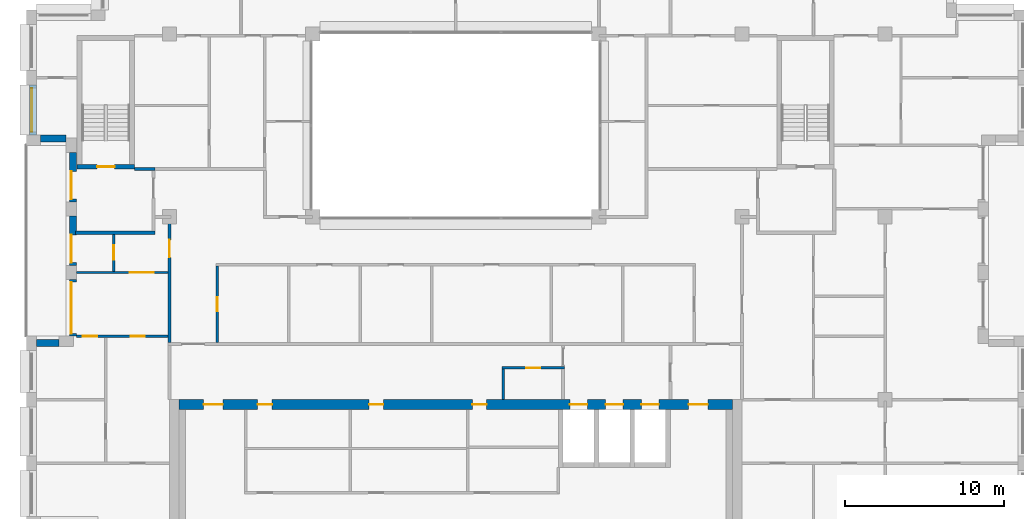
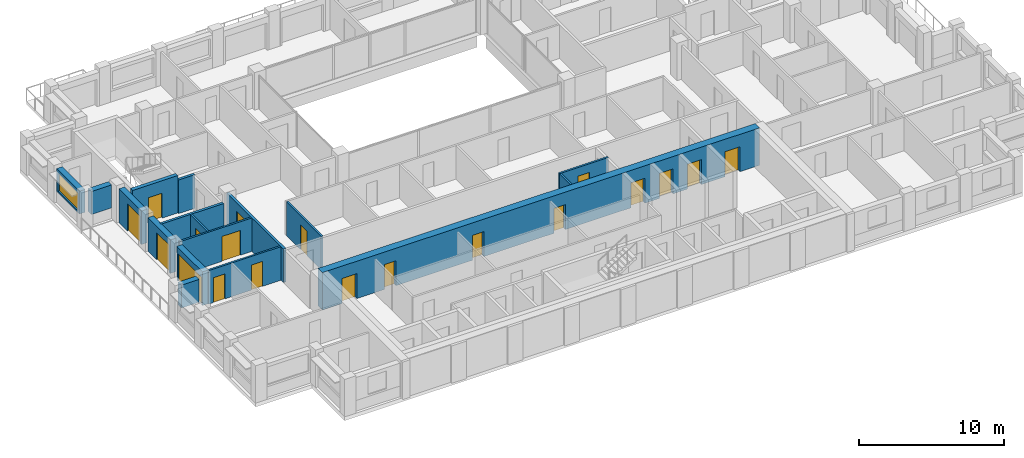
# One storey, part 9 of 15: 19 doors, 17 walls, 1 window, 20 openings.
"""IFC4 building model written with IfcOpenShell, lengths in metres."""

from ifc_helpers import new_model, si_unit, direction, frame, frame_2d, origin, place, context, subcontext, project, spatial, rectangle, extrude, material, layer, layer_set, type_object, element, fill, save


model = new_model("IFC4")

# Units and contexts
model_context = context("Model", 3, precision=1e-05, world=origin(), true_north=direction((0.0, 1.0)))
body_context = subcontext(model_context, "Body", "Model", "MODEL_VIEW")
ifc_project = project(units=[si_unit("LENGTHUNIT", "METRE"), si_unit("AREAUNIT", "SQUARE_METRE"), si_unit("VOLUMEUNIT", "CUBIC_METRE"), si_unit("PLANEANGLEUNIT", "RADIAN"), si_unit("MASSUNIT", "GRAM", prefix="KILO")], contexts=[model_context])

# Site, building, storey
site_placement = place(None, origin())
site = spatial("IfcSite", under=ifc_project, at=site_placement, CompositionType="ELEMENT")
building_placement = place(site_placement, origin())
building = spatial("IfcBuilding", under=site, at=building_placement, Name="Brigalow Station Residences", CompositionType="ELEMENT")
storey_placement = place(building_placement, frame((0.0, 0.0, 229.5)))
storey = spatial("IfcBuildingStorey", under=building, at=storey_placement, Name="L66", CompositionType="ELEMENT", Elevation=229.5)

# Wall, opening, window
ifc_material_1 = material(Name="Clay brick masonry", Category="masonry")
ifc_layer_1 = layer(ifc_material_1, 0.449951171875)
ifc_layer_set_1 = layer_set([ifc_layer_1], Name="BRICK INFILL WALL 450")
wall_type_1 = type_object("IfcWallType", Name="BRICK INFILL WALL 450", PredefinedType="SOLIDWALL", material=ifc_layer_set_1)
wall_1_placement = place(storey_placement, frame((9.425048828125, 32.300048828125, 0.89990234375), z_axis=(0.0, 0.0, 1.0), x_axis=(0.0, -1.0, 0.0)))
wall_1 = element("IfcWall", 1, at=wall_1_placement, inside=storey, type_object=wall_type_1, Name="L66/ewall/W-L66-35", PredefinedType="SOLIDWALL", context=body_context, shape_type="SweptSolid", body=[
    extrude(rectangle(XDim=3.150146484375, YDim=0.449951171875, at=frame_2d((1.5751953125, 0.0))), origin(), (0.0, 0.0, 1.0), 1.93017578125),
])
opening_1_placement = place(wall_1_placement, frame((0.199951171875, 0.0, 0.14990234375)))
opening_1 = element("IfcOpeningElement", 2, at=opening_1_placement, cuts=wall_1, Name="Opening WT-3", PredefinedType="OPENING", context=body_context, shape_type="SweptSolid", body=[
    extrude(rectangle(XDim=2.75, YDim=1.5, at=frame_2d((1.375, 0.75))), frame((0.0, 0.23486328125, 0.0), z_axis=(0.0, -1.0, 0.0), x_axis=(1.0, 0.0, 0.0)), (0.0, 0.0, 1.0), 0.469970703125),
])
ifc_material_2 = material(Name="Anodised aluminium frame with double glazing", Category="aluminium")
window_type = type_object("IfcWindowType", Name="WINDOW 2750x1500", PartitioningType="SINGLE_PANEL", PredefinedType="WINDOW", material=ifc_material_2)
window_placement = place(opening_1_placement, origin())
window = element("IfcWindow", 3, at=window_placement, inside=storey, type_object=window_type, Name="L66/window/W-L66-35", OverallHeight=1.5, OverallWidth=2.75, PartitioningType="SINGLE_PANEL", PredefinedType="WINDOW", context=body_context, shape_type="SweptSolid", body=[
    extrude(rectangle(XDim=2.75, YDim=1.5, at=frame_2d((1.375, 0.75))), frame((0.0, -0.06494140625, 0.0), z_axis=(0.0, -1.0, 0.0), x_axis=(1.0, 0.0, 0.0)), (0.0, 0.0, 1.0), 0.06005859375),
])
fill(opening_1, window)

# Wall
wall_2_placement = place(storey_placement, frame((9.89990234375, 28.925048828125, 0.89990234375), z_axis=(0.0, 0.0, 1.0), x_axis=(1.0, 0.0, 0.0)))
element("IfcWall", 4, at=wall_2_placement, inside=storey, type_object=wall_type_1, Name="L66/ewall/W-L66-36", PredefinedType="SOLIDWALL", context=body_context, shape_type="SweptSolid", body=[
    extrude(rectangle(XDim=1.60009765625, YDim=0.449951171875, at=frame_2d((0.800048828125, 0.0))), origin(), (0.0, 0.0, 1.0), 1.93017578125),
])

# Wall, opening, door
wall_3_placement = place(storey_placement, frame((11.925048828125, 28.050048828125, 0.0), z_axis=(0.0, 0.0, 1.0), x_axis=(0.0, -1.0, 0.0)))
wall_3 = element("IfcWall", 5, at=wall_3_placement, inside=storey, type_object=wall_type_1, Name="L66/ewall/W-L66-37", PredefinedType="SOLIDWALL", context=body_context, shape_type="SweptSolid", body=[
    extrude(rectangle(XDim=3.10009765625, YDim=0.449951171875, at=frame_2d((1.550048828125, 0.0))), origin(), (0.0, 0.0, 1.0), 2.830078125),
])
opening_2_placement = place(wall_3_placement, frame((1.18505859375, 0.0, 0.0)))
opening_2 = element("IfcOpeningElement", 6, at=opening_2_placement, cuts=wall_3, Name="Opening D-B1750", PredefinedType="OPENING", context=body_context, shape_type="SweptSolid", body=[
    extrude(rectangle(XDim=1.75, YDim=2.300048828125, at=frame_2d((0.875, 1.14990234375))), frame((0.0, 0.23486328125, 0.0), z_axis=(0.0, -1.0, 0.0), x_axis=(1.0, 0.0, 0.0)), (0.0, 0.0, 1.0), 0.469970703125),
])
ifc_material_3 = material(Name="Anodised aluminium frame with double glazing", Category="aluminium")
door_type_1 = type_object("IfcDoorType", Name="BALCONY SLIDING DOOR 1750x2300", OperationType="SLIDING_TO_LEFT", PredefinedType="DOOR", material=ifc_material_3)
door_1_placement = place(opening_2_placement, frame((1.75, -0.18994140625, 0.0), z_axis=(0.0, 0.0, 1.0), x_axis=(-1.0, 0.0, 0.0)))
door_1 = element("IfcDoor", 7, at=door_1_placement, inside=storey, type_object=door_type_1, Name="L66/balcony-door/W-L66-37", OperationType="SLIDING_TO_LEFT", OverallHeight=2.300048828125, OverallWidth=1.75, PredefinedType="DOOR", context=body_context, shape_type="SweptSolid", body=[
    extrude(rectangle(XDim=1.75, YDim=2.300048828125, at=frame_2d((0.875, 1.14990234375))), frame((0.0, -0.06982421875, 0.0), z_axis=(0.0, -1.0, 0.0), x_axis=(1.0, 0.0, 0.0)), (0.0, 0.0, 1.0), 0.050048828125),
])
fill(opening_2, door_1)

wall_4_placement = place(storey_placement, frame((11.925048828125, 24.050048828125, 0.0), z_axis=(0.0, 0.0, 1.0), x_axis=(0.0, -1.0, 0.0)))
wall_4 = element("IfcWall", 8, at=wall_4_placement, inside=storey, type_object=wall_type_1, Name="L66/ewall/W-L66-38", PredefinedType="SOLIDWALL", context=body_context, shape_type="SweptSolid", body=[
    extrude(rectangle(XDim=3.10009765625, YDim=0.449951171875, at=frame_2d((1.550048828125, 0.0))), origin(), (0.0, 0.0, 1.0), 2.830078125),
])
opening_3_placement = place(wall_4_placement, frame((1.18505859375, 0.0, 0.0)))
opening_3 = element("IfcOpeningElement", 9, at=opening_3_placement, cuts=wall_4, Name="Opening D-B1750", PredefinedType="OPENING", context=body_context, shape_type="SweptSolid", body=[
    extrude(rectangle(XDim=1.75, YDim=2.300048828125, at=frame_2d((0.875, 1.14990234375))), frame((0.0, 0.23486328125, 0.0), z_axis=(0.0, -1.0, 0.0), x_axis=(1.0, 0.0, 0.0)), (0.0, 0.0, 1.0), 0.469970703125),
])
door_2_placement = place(opening_3_placement, origin())
door_2 = element("IfcDoor", 10, at=door_2_placement, inside=storey, type_object=door_type_1, Name="L66/balcony-door/W-L66-38", OperationType="SLIDING_TO_LEFT", OverallHeight=2.300048828125, OverallWidth=1.75, PredefinedType="DOOR", context=body_context, shape_type="SweptSolid", body=[
    extrude(rectangle(XDim=1.75, YDim=2.300048828125, at=frame_2d((0.875, 1.14990234375))), frame((0.0, -0.06982421875, 0.0), z_axis=(0.0, -1.0, 0.0), x_axis=(1.0, 0.0, 0.0)), (0.0, 0.0, 1.0), 0.050048828125),
])
fill(opening_3, door_2)

wall_5_placement = place(storey_placement, frame((11.925048828125, 20.050048828125, 0.0), z_axis=(0.0, 0.0, 1.0), x_axis=(0.0, -1.0, 0.0)))
wall_5 = element("IfcWall", 11, at=wall_5_placement, inside=storey, type_object=wall_type_1, Name="L66/ewall/W-L66-39", PredefinedType="SOLIDWALL", context=body_context, shape_type="SweptSolid", body=[
    extrude(rectangle(XDim=3.550048828125, YDim=0.449951171875, at=frame_2d((1.77490234375, 0.0))), origin(), (0.0, 0.0, 1.0), 2.830078125),
])
opening_4_placement = place(wall_5_placement, frame((0.14990234375, 0.0, 0.0)))
opening_4 = element("IfcOpeningElement", 12, at=opening_4_placement, cuts=wall_5, Name="Opening D-B3250", PredefinedType="OPENING", context=body_context, shape_type="SweptSolid", body=[
    extrude(rectangle(XDim=3.25, YDim=2.300048828125, at=frame_2d((1.625, 1.14990234375))), frame((0.0, 0.23486328125, 0.0), z_axis=(0.0, -1.0, 0.0), x_axis=(1.0, 0.0, 0.0)), (0.0, 0.0, 1.0), 0.469970703125),
])
ifc_material_4 = material(Name="Anodised aluminium frame with double glazing", Category="aluminium")
door_type_2 = type_object("IfcDoorType", Name="BALCONY SLIDING DOOR 3250x2300", OperationType="SLIDING_TO_LEFT", PredefinedType="DOOR", material=ifc_material_4)
door_3_placement = place(opening_4_placement, origin())
door_3 = element("IfcDoor", 13, at=door_3_placement, inside=storey, type_object=door_type_2, Name="L66/balcony-door/W-L66-39", OperationType="SLIDING_TO_LEFT", OverallHeight=2.300048828125, OverallWidth=3.25, PredefinedType="DOOR", context=body_context, shape_type="SweptSolid", body=[
    extrude(rectangle(XDim=3.25, YDim=2.300048828125, at=frame_2d((1.625, 1.14990234375))), frame((0.0, -0.06982421875, 0.0), z_axis=(0.0, -1.0, 0.0), x_axis=(1.0, 0.0, 0.0)), (0.0, 0.0, 1.0), 0.050048828125),
])
fill(opening_4, door_3)

# Wall
wall_6_placement = place(storey_placement, frame((11.050048828125, 16.074951171875, 0.89990234375), z_axis=(0.0, 0.0, 1.0), x_axis=(-1.0, 0.0, 0.0)))
element("IfcWall", 14, at=wall_6_placement, inside=storey, type_object=wall_type_1, Name="L66/ewall/W-L66-40", PredefinedType="SOLIDWALL", context=body_context, shape_type="SweptSolid", body=[
    extrude(rectangle(XDim=1.400146484375, YDim=0.449951171875, at=frame_2d((0.7001953125, 0.0))), origin(), (0.0, 0.0, 1.0), 1.93017578125),
])

# Wall, opening, door
ifc_material_5 = material(Name="Concrete C50", Category="concrete")
ifc_layer_2 = layer(ifc_material_5, 0.300048828125)
ifc_layer_set_2 = layer_set([ifc_layer_2], Name="CORE SHEAR WALL 300 C50")
wall_type_2 = type_object("IfcWallType", Name="CORE SHEAR WALL 300 C50", PredefinedType="SHEAR", material=ifc_layer_set_2)
wall_7_placement = place(storey_placement, frame((12.199951171875, 27.14990234375, 0.0), z_axis=(0.0, 0.0, 1.0), x_axis=(1.0, 0.0, 0.0)))
wall_7 = element("IfcWall", 15, at=wall_7_placement, inside=storey, type_object=wall_type_2, Name="CORE WALL ST-S1-S L66", PredefinedType="SHEAR", context=body_context, shape_type="SweptSolid", body=[
    extrude(rectangle(XDim=3.60009765625, YDim=0.300048828125, at=frame_2d((1.800048828125, 0.0))), origin(), (0.0, 0.0, 1.0), 3.14990234375),
])
opening_5_placement = place(wall_7_placement, frame((1.25, 0.0, 0.0)))
opening_5 = element("IfcOpeningElement", 16, at=opening_5_placement, cuts=wall_7, Name="Opening D-5015", PredefinedType="OPENING", context=body_context, shape_type="SweptSolid", body=[
    extrude(rectangle(XDim=1.10009765625, YDim=2.10009765625, at=frame_2d((0.550048828125, 1.050048828125))), frame((0.0, 0.16015625, 0.0), z_axis=(0.0, -1.0, 0.0), x_axis=(1.0, 0.0, 0.0)), (0.0, 0.0, 1.0), 0.320068359375),
])
ifc_material_6 = material(Name="Steel fire door leaf in steel frame", Category="steel")
door_type_3 = type_object("IfcDoorType", Name="STAIR DOOR 1100 x 2100 FD60S", OperationType="SINGLE_SWING_LEFT", PredefinedType="DOOR", material=ifc_material_6)
door_4_placement = place(opening_5_placement, origin())
door_4 = element("IfcDoor", 17, at=door_4_placement, inside=storey, type_object=door_type_3, Name="D-5015", OperationType="SINGLE_SWING_LEFT", OverallHeight=2.10009765625, OverallWidth=1.10009765625, PredefinedType="DOOR", context=body_context, shape_type="SweptSolid", body=[
    extrude(rectangle(XDim=1.10009765625, YDim=2.10009765625, at=frame_2d((0.550048828125, 1.050048828125))), frame((0.0, 0.02490234375, 0.0), z_axis=(0.0, -1.0, 0.0), x_axis=(1.0, 0.0, 0.0)), (0.0, 0.0, 1.0), 0.050048828125),
])
fill(opening_5, door_4)

# Wall, openings, doors
ifc_material_7 = material(Name="Concrete C50", Category="concrete")
ifc_layer_3 = layer(ifc_material_7, 0.60009765625)
ifc_layer_set_3 = layer_set([ifc_layer_3], Name="CORE SHEAR WALL 600 C50")
wall_type_3 = type_object("IfcWallType", Name="CORE SHEAR WALL 600 C50", PredefinedType="SHEAR", material=ifc_layer_set_3)
wall_8_placement = place(storey_placement, frame((18.60009765625, 12.199951171875, 0.0), z_axis=(0.0, 0.0, 1.0), x_axis=(1.0, 0.0, 0.0)))
wall_8 = element("IfcWall", 18, at=wall_8_placement, inside=storey, type_object=wall_type_3, Name="CORE WALL OUT-N L66", PredefinedType="SHEAR", context=body_context, shape_type="SweptSolid", body=[
    extrude(rectangle(XDim=34.7998046875, YDim=0.60009765625, at=frame_2d((17.39990234375, 0.0))), origin(), (0.0, 0.0, 1.0), 3.14990234375),
])
opening_6_placement = place(wall_8_placement, frame((24.574951171875, 0.0, 0.0)))
opening_6 = element("IfcOpeningElement", 19, at=opening_6_placement, cuts=wall_8, Name="Opening LD-LF1", PredefinedType="OPENING", context=body_context, shape_type="SweptSolid", body=[
    extrude(rectangle(XDim=1.10009765625, YDim=2.10009765625, at=frame_2d((0.550048828125, 1.050048828125))), frame((0.0, 0.31005859375, 0.0), z_axis=(0.0, -1.0, 0.0), x_axis=(1.0, 0.0, 0.0)), (0.0, 0.0, 1.0), 0.6201171875),
])
opening_7_placement = place(wall_8_placement, frame((26.824951171875, 0.0, 0.0)))
opening_7 = element("IfcOpeningElement", 20, at=opening_7_placement, cuts=wall_8, Name="Opening LD-LF2", PredefinedType="OPENING", context=body_context, shape_type="SweptSolid", body=[
    extrude(rectangle(XDim=1.10009765625, YDim=2.10009765625, at=frame_2d((0.550048828125, 1.050048828125))), frame((0.0, 0.31005859375, 0.0), z_axis=(0.0, -1.0, 0.0), x_axis=(1.0, 0.0, 0.0)), (0.0, 0.0, 1.0), 0.6201171875),
])
opening_8_placement = place(wall_8_placement, frame((29.074951171875, 0.0, 0.0)))
opening_8 = element("IfcOpeningElement", 21, at=opening_8_placement, cuts=wall_8, Name="Opening LD-LG1", PredefinedType="OPENING", context=body_context, shape_type="SweptSolid", body=[
    extrude(rectangle(XDim=1.10009765625, YDim=2.10009765625, at=frame_2d((0.550048828125, 1.050048828125))), frame((0.0, 0.31005859375, 0.0), z_axis=(0.0, -1.0, 0.0), x_axis=(1.0, 0.0, 0.0)), (0.0, 0.0, 1.0), 0.6201171875),
])
opening_9_placement = place(wall_8_placement, frame((4.949951171875, 0.0, 0.0)))
opening_9 = element("IfcOpeningElement", 22, at=opening_9_placement, cuts=wall_8, Name="Opening D-5118", PredefinedType="OPENING", context=body_context, shape_type="SweptSolid", body=[
    extrude(rectangle(XDim=0.89990234375, YDim=2.10009765625, at=frame_2d((0.449951171875, 1.050048828125))), frame((0.0, 0.31005859375, 0.0), z_axis=(0.0, -1.0, 0.0), x_axis=(1.0, 0.0, 0.0)), (0.0, 0.0, 1.0), 0.6201171875),
])
opening_10_placement = place(wall_8_placement, frame((11.949951171875, 0.0, 0.0)))
opening_10 = element("IfcOpeningElement", 23, at=opening_10_placement, cuts=wall_8, Name="Opening D-5122", PredefinedType="OPENING", context=body_context, shape_type="SweptSolid", body=[
    extrude(rectangle(XDim=0.89990234375, YDim=2.10009765625, at=frame_2d((0.449951171875, 1.050048828125))), frame((0.0, 0.31005859375, 0.0), z_axis=(0.0, -1.0, 0.0), x_axis=(1.0, 0.0, 0.0)), (0.0, 0.0, 1.0), 0.6201171875),
])
opening_11_placement = place(wall_8_placement, frame((18.449951171875, 0.0, 0.0)))
opening_11 = element("IfcOpeningElement", 24, at=opening_11_placement, cuts=wall_8, Name="Opening D-5119", PredefinedType="OPENING", context=body_context, shape_type="SweptSolid", body=[
    extrude(rectangle(XDim=0.89990234375, YDim=2.10009765625, at=frame_2d((0.449951171875, 1.050048828125))), frame((0.0, 0.31005859375, 0.0), z_axis=(0.0, -1.0, 0.0), x_axis=(1.0, 0.0, 0.0)), (0.0, 0.0, 1.0), 0.6201171875),
])
opening_12_placement = place(wall_8_placement, frame((1.550048828125, 0.0, 0.0)))
opening_12 = element("IfcOpeningElement", 25, at=opening_12_placement, cuts=wall_8, Name="Opening D-5011", PredefinedType="OPENING", context=body_context, shape_type="SweptSolid", body=[
    extrude(rectangle(XDim=1.199951171875, YDim=2.10009765625, at=frame_2d((0.60009765625, 1.050048828125))), frame((0.0, 0.31005859375, 0.0), z_axis=(0.0, -1.0, 0.0), x_axis=(1.0, 0.0, 0.0)), (0.0, 0.0, 1.0), 0.6201171875),
])
opening_13_placement = place(wall_8_placement, frame((32.050048828125, 0.0, 0.0)))
opening_13 = element("IfcOpeningElement", 26, at=opening_13_placement, cuts=wall_8, Name="Opening D-5012", PredefinedType="OPENING", context=body_context, shape_type="SweptSolid", body=[
    extrude(rectangle(XDim=1.199951171875, YDim=2.10009765625, at=frame_2d((0.60009765625, 1.050048828125))), frame((0.0, 0.31005859375, 0.0), z_axis=(0.0, -1.0, 0.0), x_axis=(1.0, 0.0, 0.0)), (0.0, 0.0, 1.0), 0.6201171875),
])
ifc_material_8 = material(Name="Steel fire door leaf in steel frame", Category="steel")
door_type_4 = type_object("IfcDoorType", Name="CORE CORRIDOR DOOR 1200 x 2100 FD60S", OperationType="SINGLE_SWING_LEFT", PredefinedType="DOOR", material=ifc_material_8)
door_5_placement = place(opening_12_placement, frame((1.199951171875, 0.0, 0.0), z_axis=(0.0, 0.0, 1.0), x_axis=(-1.0, 0.0, 0.0)))
door_5 = element("IfcDoor", 27, at=door_5_placement, inside=storey, type_object=door_type_4, Name="D-5011", OperationType="SINGLE_SWING_LEFT", OverallHeight=2.10009765625, OverallWidth=1.199951171875, PredefinedType="DOOR", context=body_context, shape_type="SweptSolid", body=[
    extrude(rectangle(XDim=1.199951171875, YDim=2.10009765625, at=frame_2d((0.60009765625, 1.050048828125))), frame((0.0, 0.02490234375, 0.0), z_axis=(0.0, -1.0, 0.0), x_axis=(1.0, 0.0, 0.0)), (0.0, 0.0, 1.0), 0.050048828125),
])
fill(opening_12, door_5)
door_6_placement = place(opening_13_placement, frame((1.199951171875, 0.0, 0.0), z_axis=(0.0, 0.0, 1.0), x_axis=(-1.0, 0.0, 0.0)))
door_6 = element("IfcDoor", 28, at=door_6_placement, inside=storey, type_object=door_type_4, Name="D-5012", OperationType="SINGLE_SWING_LEFT", OverallHeight=2.10009765625, OverallWidth=1.199951171875, PredefinedType="DOOR", context=body_context, shape_type="SweptSolid", body=[
    extrude(rectangle(XDim=1.199951171875, YDim=2.10009765625, at=frame_2d((0.60009765625, 1.050048828125))), frame((0.0, 0.02490234375, 0.0), z_axis=(0.0, -1.0, 0.0), x_axis=(1.0, 0.0, 0.0)), (0.0, 0.0, 1.0), 0.050048828125),
])
fill(opening_13, door_6)
ifc_material_9 = material(Name="Stainless steel sliding door leaves", Category="steel")
door_type_5 = type_object("IfcDoorType", Name="LIFT LANDING DOOR 1100 x 2100", OperationType="DOUBLE_DOOR_SLIDING", PredefinedType="DOOR", material=ifc_material_9)
door_7_placement = place(opening_6_placement, origin())
door_7 = element("IfcDoor", 29, at=door_7_placement, inside=storey, type_object=door_type_5, Name="LANDING DOOR LF1", OperationType="DOUBLE_DOOR_SLIDING", OverallHeight=2.10009765625, OverallWidth=1.10009765625, PredefinedType="DOOR", context=body_context, shape_type="SweptSolid", body=[
    extrude(rectangle(XDim=1.10009765625, YDim=2.10009765625, at=frame_2d((0.550048828125, 1.050048828125))), frame((0.0, 0.02490234375, 0.0), z_axis=(0.0, -1.0, 0.0), x_axis=(1.0, 0.0, 0.0)), (0.0, 0.0, 1.0), 0.050048828125),
])
fill(opening_6, door_7)
door_8_placement = place(opening_7_placement, origin())
door_8 = element("IfcDoor", 30, at=door_8_placement, inside=storey, type_object=door_type_5, Name="LANDING DOOR LF2", OperationType="DOUBLE_DOOR_SLIDING", OverallHeight=2.10009765625, OverallWidth=1.10009765625, PredefinedType="DOOR", context=body_context, shape_type="SweptSolid", body=[
    extrude(rectangle(XDim=1.10009765625, YDim=2.10009765625, at=frame_2d((0.550048828125, 1.050048828125))), frame((0.0, 0.02490234375, 0.0), z_axis=(0.0, -1.0, 0.0), x_axis=(1.0, 0.0, 0.0)), (0.0, 0.0, 1.0), 0.050048828125),
])
fill(opening_7, door_8)
door_9_placement = place(opening_8_placement, origin())
door_9 = element("IfcDoor", 31, at=door_9_placement, inside=storey, type_object=door_type_5, Name="LANDING DOOR LG1", OperationType="DOUBLE_DOOR_SLIDING", OverallHeight=2.10009765625, OverallWidth=1.10009765625, PredefinedType="DOOR", context=body_context, shape_type="SweptSolid", body=[
    extrude(rectangle(XDim=1.10009765625, YDim=2.10009765625, at=frame_2d((0.550048828125, 1.050048828125))), frame((0.0, 0.02490234375, 0.0), z_axis=(0.0, -1.0, 0.0), x_axis=(1.0, 0.0, 0.0)), (0.0, 0.0, 1.0), 0.050048828125),
])
fill(opening_8, door_9)
ifc_material_10 = material(Name="Steel door leaf in steel frame", Category="steel")
door_type_6 = type_object("IfcDoorType", Name="SERVICE ROOM DOOR 900 x 2100 FD60", OperationType="SINGLE_SWING_LEFT", PredefinedType="DOOR", material=ifc_material_10)
door_10_placement = place(opening_9_placement, frame((0.89990234375, 0.0, 0.0), z_axis=(0.0, 0.0, 1.0), x_axis=(-1.0, 0.0, 0.0)))
door_10 = element("IfcDoor", 32, at=door_10_placement, inside=storey, type_object=door_type_6, Name="D-5118", OperationType="SINGLE_SWING_RIGHT", OverallHeight=2.10009765625, OverallWidth=0.89990234375, PredefinedType="DOOR", context=body_context, shape_type="SweptSolid", body=[
    extrude(rectangle(XDim=0.89990234375, YDim=2.10009765625, at=frame_2d((0.449951171875, 1.050048828125))), frame((0.0, 0.02490234375, 0.0), z_axis=(0.0, -1.0, 0.0), x_axis=(1.0, 0.0, 0.0)), (0.0, 0.0, 1.0), 0.050048828125),
])
fill(opening_9, door_10)
door_11_placement = place(opening_10_placement, frame((0.89990234375, 0.0, 0.0), z_axis=(0.0, 0.0, 1.0), x_axis=(-1.0, 0.0, 0.0)))
door_11 = element("IfcDoor", 33, at=door_11_placement, inside=storey, type_object=door_type_6, Name="D-5122", OperationType="SINGLE_SWING_RIGHT", OverallHeight=2.10009765625, OverallWidth=0.89990234375, PredefinedType="DOOR", context=body_context, shape_type="SweptSolid", body=[
    extrude(rectangle(XDim=0.89990234375, YDim=2.10009765625, at=frame_2d((0.449951171875, 1.050048828125))), frame((0.0, 0.02490234375, 0.0), z_axis=(0.0, -1.0, 0.0), x_axis=(1.0, 0.0, 0.0)), (0.0, 0.0, 1.0), 0.050048828125),
])
fill(opening_10, door_11)
door_12_placement = place(opening_11_placement, frame((0.89990234375, 0.0, 0.0), z_axis=(0.0, 0.0, 1.0), x_axis=(-1.0, 0.0, 0.0)))
door_12 = element("IfcDoor", 34, at=door_12_placement, inside=storey, type_object=door_type_6, Name="D-5119", OperationType="SINGLE_SWING_RIGHT", OverallHeight=2.10009765625, OverallWidth=0.89990234375, PredefinedType="DOOR", context=body_context, shape_type="SweptSolid", body=[
    extrude(rectangle(XDim=0.89990234375, YDim=2.10009765625, at=frame_2d((0.449951171875, 1.050048828125))), frame((0.0, 0.02490234375, 0.0), z_axis=(0.0, -1.0, 0.0), x_axis=(1.0, 0.0, 0.0)), (0.0, 0.0, 1.0), 0.050048828125),
])
fill(opening_11, door_12)

# Walls
ifc_material_11 = material(Name="Concrete blockwork", Category="masonry")
ifc_layer_4 = layer(ifc_material_11, 0.199951171875)
ifc_layer_set_4 = layer_set([ifc_layer_4], Name="FIRE RATED CORE PARTITION 200")
wall_type_4 = type_object("IfcWallType", Name="FIRE RATED CORE PARTITION 200", PredefinedType="PARTITIONING", material=ifc_layer_set_4)
wall_9_placement = place(storey_placement, frame((12.10009765625, 23.0, 0.0), z_axis=(0.0, 0.0, 1.0), x_axis=(1.0, 0.0, 0.0)))
element("IfcWall", 35, at=wall_9_placement, inside=storey, type_object=wall_type_4, Name="PW-5023", PredefinedType="PARTITIONING", context=body_context, shape_type="SweptSolid", body=[
    extrude(rectangle(XDim=5.0, YDim=0.199951171875, at=frame_2d((2.5, 0.0))), origin(), (0.0, 0.0, 1.0), 2.830078125),
])
wall_10_placement = place(storey_placement, frame((15.800048828125, 27.0, 0.0), z_axis=(0.0, 0.0, 1.0), x_axis=(1.0, 0.0, 0.0)))
element("IfcWall", 36, at=wall_10_placement, inside=storey, type_object=wall_type_4, Name="PW-5025", PredefinedType="PARTITIONING", context=body_context, shape_type="SweptSolid", body=[
    extrude(rectangle(XDim=1.300048828125, YDim=0.199951171875, at=frame_2d((0.64990234375, 0.0))), origin(), (0.0, 0.0, 1.0), 2.830078125),
])

# Wall, opening, door
ifc_material_12 = material(Name="Plasterboard on steel stud partition", Category="steel")
ifc_layer_5 = layer(ifc_material_12, 0.14990234375)
ifc_layer_set_5 = layer_set([ifc_layer_5], Name="FLAT PARTITION 150")
wall_type_5 = type_object("IfcWallType", Name="FLAT PARTITION 150", PredefinedType="PARTITIONING", material=ifc_layer_set_5)
wall_11_placement = place(storey_placement, frame((12.14990234375, 20.5, 0.0), z_axis=(0.0, 0.0, 1.0), x_axis=(1.0, 0.0, 0.0)))
wall_11 = element("IfcWall", 37, at=wall_11_placement, inside=storey, type_object=wall_type_5, Name="PW-4E08", PredefinedType="PARTITIONING", context=body_context, shape_type="SweptSolid", body=[
    extrude(rectangle(XDim=5.75, YDim=0.14990234375, at=frame_2d((2.875, 0.0))), origin(), (0.0, 0.0, 1.0), 2.830078125),
])
opening_14_placement = place(wall_11_placement, frame((3.35009765625, 0.0, 0.0)))
opening_14 = element("IfcOpeningElement", 38, at=opening_14_placement, cuts=wall_11, Name="Opening D-4E05", PredefinedType="OPENING", context=body_context, shape_type="SweptSolid", body=[
    extrude(rectangle(XDim=1.5, YDim=2.10009765625, at=frame_2d((0.75, 1.050048828125))), frame((0.0, 0.0849609375, 0.0), z_axis=(0.0, -1.0, 0.0), x_axis=(1.0, 0.0, 0.0)), (0.0, 0.0, 1.0), 0.169921875),
])
ifc_material_13 = material(Name="Solid-core timber door leaf", Category="wood")
door_type_7 = type_object("IfcDoorType", Name="INTERNAL DOUBLE DOOR 1500 x 2100", OperationType="DOUBLE_DOOR_SINGLE_SWING", PredefinedType="DOOR", material=ifc_material_13)
door_13_placement = place(opening_14_placement, origin())
door_13 = element("IfcDoor", 39, at=door_13_placement, inside=storey, type_object=door_type_7, Name="D-4E05", OperationType="DOUBLE_DOOR_SINGLE_SWING", OverallHeight=2.10009765625, OverallWidth=1.5, PredefinedType="DOOR", context=body_context, shape_type="SweptSolid", body=[
    extrude(rectangle(XDim=1.5, YDim=2.10009765625, at=frame_2d((0.75, 1.050048828125))), frame((0.0, 0.02490234375, 0.0), z_axis=(0.0, -1.0, 0.0), x_axis=(1.0, 0.0, 0.0)), (0.0, 0.0, 1.0), 0.050048828125),
])
fill(opening_14, door_13)

# Wall, openings, doors
wall_12_placement = place(storey_placement, frame((12.14990234375, 16.5, 0.0), z_axis=(0.0, 0.0, 1.0), x_axis=(1.0, 0.0, 0.0)))
wall_12 = element("IfcWall", 40, at=wall_12_placement, inside=storey, type_object=wall_type_5, Name="PW-4E09", PredefinedType="PARTITIONING", context=body_context, shape_type="SweptSolid", body=[
    extrude(rectangle(XDim=5.75, YDim=0.14990234375, at=frame_2d((2.875, 0.0))), origin(), (0.0, 0.0, 1.0), 2.830078125),
])
opening_15_placement = place(wall_12_placement, frame((0.39990234375, 0.0, 0.0)))
opening_15 = element("IfcOpeningElement", 41, at=opening_15_placement, cuts=wall_12, Name="Opening D-4E06", PredefinedType="OPENING", context=body_context, shape_type="SweptSolid", body=[
    extrude(rectangle(XDim=0.89990234375, YDim=2.10009765625, at=frame_2d((0.449951171875, 1.050048828125))), frame((0.0, 0.0849609375, 0.0), z_axis=(0.0, -1.0, 0.0), x_axis=(1.0, 0.0, 0.0)), (0.0, 0.0, 1.0), 0.169921875),
])
opening_16_placement = place(wall_12_placement, frame((3.39990234375, 0.0, 0.0)))
opening_16 = element("IfcOpeningElement", 42, at=opening_16_placement, cuts=wall_12, Name="Opening D-4E07", PredefinedType="OPENING", context=body_context, shape_type="SweptSolid", body=[
    extrude(rectangle(XDim=0.89990234375, YDim=2.10009765625, at=frame_2d((0.449951171875, 1.050048828125))), frame((0.0, 0.0849609375, 0.0), z_axis=(0.0, -1.0, 0.0), x_axis=(1.0, 0.0, 0.0)), (0.0, 0.0, 1.0), 0.169921875),
])
ifc_material_14 = material(Name="Solid-core timber door leaf", Category="wood")
door_type_8 = type_object("IfcDoorType", Name="INTERNAL DOOR 900 x 2100", OperationType="SINGLE_SWING_LEFT", PredefinedType="DOOR", material=ifc_material_14)
door_14_placement = place(opening_15_placement, frame((0.89990234375, 0.0, 0.0), z_axis=(0.0, 0.0, 1.0), x_axis=(-1.0, 0.0, 0.0)))
door_14 = element("IfcDoor", 43, at=door_14_placement, inside=storey, type_object=door_type_8, Name="D-4E06", OperationType="SINGLE_SWING_RIGHT", OverallHeight=2.10009765625, OverallWidth=0.89990234375, PredefinedType="DOOR", context=body_context, shape_type="SweptSolid", body=[
    extrude(rectangle(XDim=0.89990234375, YDim=2.10009765625, at=frame_2d((0.449951171875, 1.050048828125))), frame((0.0, 0.02490234375, 0.0), z_axis=(0.0, -1.0, 0.0), x_axis=(1.0, 0.0, 0.0)), (0.0, 0.0, 1.0), 0.050048828125),
])
fill(opening_15, door_14)
door_15_placement = place(opening_16_placement, origin())
door_15 = element("IfcDoor", 44, at=door_15_placement, inside=storey, type_object=door_type_8, Name="D-4E07", OperationType="SINGLE_SWING_RIGHT", OverallHeight=2.10009765625, OverallWidth=0.89990234375, PredefinedType="DOOR", context=body_context, shape_type="SweptSolid", body=[
    extrude(rectangle(XDim=0.89990234375, YDim=2.10009765625, at=frame_2d((0.449951171875, 1.050048828125))), frame((0.0, 0.02490234375, 0.0), z_axis=(0.0, -1.0, 0.0), x_axis=(1.0, 0.0, 0.0)), (0.0, 0.0, 1.0), 0.050048828125),
])
fill(opening_16, door_15)

# Wall, opening, door
wall_13_placement = place(storey_placement, frame((21.0, 16.10009765625, 0.0), z_axis=(0.0, 0.0, 1.0), x_axis=(0.0, 1.0, 0.0)))
wall_13 = element("IfcWall", 45, at=wall_13_placement, inside=storey, type_object=wall_type_5, Name="PW-4E34", PredefinedType="PARTITIONING", context=body_context, shape_type="SweptSolid", body=[
    extrude(rectangle(XDim=4.824951171875, YDim=0.14990234375, at=frame_2d((2.41259765625, 0.0))), origin(), (0.0, 0.0, 1.0), 2.830078125),
])
opening_17_placement = place(wall_13_placement, frame((1.949951171875, 0.0, 0.0)))
opening_17 = element("IfcOpeningElement", 46, at=opening_17_placement, cuts=wall_13, Name="Opening D-4E44", PredefinedType="OPENING", context=body_context, shape_type="SweptSolid", body=[
    extrude(rectangle(XDim=0.89990234375, YDim=2.10009765625, at=frame_2d((0.449951171875, 1.050048828125))), frame((0.0, 0.0849609375, 0.0), z_axis=(0.0, -1.0, 0.0), x_axis=(1.0, 0.0, 0.0)), (0.0, 0.0, 1.0), 0.169921875),
])
door_16_placement = place(opening_17_placement, frame((0.89990234375, 0.0, 0.0), z_axis=(0.0, 0.0, 1.0), x_axis=(-1.0, 0.0, 0.0)))
door_16 = element("IfcDoor", 47, at=door_16_placement, inside=storey, type_object=door_type_8, Name="D-4E44", OperationType="SINGLE_SWING_RIGHT", OverallHeight=2.10009765625, OverallWidth=0.89990234375, PredefinedType="DOOR", context=body_context, shape_type="SweptSolid", body=[
    extrude(rectangle(XDim=0.89990234375, YDim=2.10009765625, at=frame_2d((0.449951171875, 1.050048828125))), frame((0.0, 0.02490234375, 0.0), z_axis=(0.0, -1.0, 0.0), x_axis=(1.0, 0.0, 0.0)), (0.0, 0.0, 1.0), 0.050048828125),
])
fill(opening_17, door_16)

wall_14_placement = place(storey_placement, frame((14.5, 20.574951171875, 0.0), z_axis=(0.0, 0.0, 1.0), x_axis=(0.0, 1.0, 0.0)))
wall_14 = element("IfcWall", 48, at=wall_14_placement, inside=storey, type_object=wall_type_5, Name="PW-4E39", PredefinedType="PARTITIONING", context=body_context, shape_type="SweptSolid", body=[
    extrude(rectangle(XDim=2.324951171875, YDim=0.14990234375, at=frame_2d((1.16259765625, 0.0))), origin(), (0.0, 0.0, 1.0), 2.830078125),
])
opening_18_placement = place(wall_14_placement, frame((0.72509765625, 0.0, 0.0)))
opening_18 = element("IfcOpeningElement", 49, at=opening_18_placement, cuts=wall_14, Name="Opening D-4E04", PredefinedType="OPENING", context=body_context, shape_type="SweptSolid", body=[
    extrude(rectangle(XDim=0.89990234375, YDim=2.10009765625, at=frame_2d((0.449951171875, 1.050048828125))), frame((0.0, 0.0849609375, 0.0), z_axis=(0.0, -1.0, 0.0), x_axis=(1.0, 0.0, 0.0)), (0.0, 0.0, 1.0), 0.169921875),
])
door_17_placement = place(opening_18_placement, origin())
door_17 = element("IfcDoor", 50, at=door_17_placement, inside=storey, type_object=door_type_8, Name="D-4E04", OperationType="SINGLE_SWING_RIGHT", OverallHeight=2.10009765625, OverallWidth=0.89990234375, PredefinedType="DOOR", context=body_context, shape_type="SweptSolid", body=[
    extrude(rectangle(XDim=0.89990234375, YDim=2.10009765625, at=frame_2d((0.449951171875, 1.050048828125))), frame((0.0, 0.02490234375, 0.0), z_axis=(0.0, -1.0, 0.0), x_axis=(1.0, 0.0, 0.0)), (0.0, 0.0, 1.0), 0.050048828125),
])
fill(opening_18, door_17)

ifc_material_15 = material(Name="Plasterboard on steel stud partition", Category="steel")
ifc_layer_6 = layer(ifc_material_15, 0.199951171875)
ifc_layer_set_6 = layer_set([ifc_layer_6], Name="PARTY AND CORRIDOR WALL 200")
wall_type_6 = type_object("IfcWallType", Name="PARTY AND CORRIDOR WALL 200", PredefinedType="PARTITIONING", material=ifc_layer_set_6)
wall_15_placement = place(storey_placement, frame((18.0, 16.10009765625, 0.0), z_axis=(0.0, 0.0, 1.0), x_axis=(0.0, 1.0, 0.0)))
wall_15 = element("IfcWall", 51, at=wall_15_placement, inside=storey, type_object=wall_type_6, Name="PW-4E32", PredefinedType="PARTITIONING", context=body_context, shape_type="SweptSolid", body=[
    extrude(rectangle(XDim=7.7998046875, YDim=0.199951171875, at=frame_2d((3.89990234375, 0.0))), origin(), (0.0, 0.0, 1.0), 2.830078125),
])
opening_19_placement = place(wall_15_placement, frame((5.35009765625, 0.0, 0.0)))
opening_19 = element("IfcOpeningElement", 52, at=opening_19_placement, cuts=wall_15, Name="Opening D-4E03", PredefinedType="OPENING", context=body_context, shape_type="SweptSolid", body=[
    extrude(rectangle(XDim=1.10009765625, YDim=2.10009765625, at=frame_2d((0.550048828125, 1.050048828125))), frame((0.0, 0.10986328125, 0.0), z_axis=(0.0, -1.0, 0.0), x_axis=(1.0, 0.0, 0.0)), (0.0, 0.0, 1.0), 0.219970703125),
])
ifc_material_16 = material(Name="Solid-core timber door leaf", Category="wood")
door_type_9 = type_object("IfcDoorType", Name="FLAT ENTRANCE DOOR 1100 x 2100 FRL -/60/30", OperationType="SINGLE_SWING_LEFT", PredefinedType="DOOR", material=ifc_material_16)
door_18_placement = place(opening_19_placement, origin())
door_18 = element("IfcDoor", 53, at=door_18_placement, inside=storey, type_object=door_type_9, Name="D-4E03", OperationType="SINGLE_SWING_LEFT", OverallHeight=2.10009765625, OverallWidth=1.10009765625, PredefinedType="DOOR", context=body_context, shape_type="SweptSolid", body=[
    extrude(rectangle(XDim=1.10009765625, YDim=2.10009765625, at=frame_2d((0.550048828125, 1.050048828125))), frame((0.0, 0.02490234375, 0.0), z_axis=(0.0, -1.0, 0.0), x_axis=(1.0, 0.0, 0.0)), (0.0, 0.0, 1.0), 0.050048828125),
])
fill(opening_19, door_18)

ifc_material_17 = material(Name="Plasterboard on steel studs", Category="steel")
ifc_layer_7 = layer(ifc_material_17, 0.14990234375)
ifc_layer_set_7 = layer_set([ifc_layer_7], Name="SERVICE ROOM PARTITION 150")
wall_type_7 = type_object("IfcWallType", Name="SERVICE ROOM PARTITION 150", PredefinedType="PARTITIONING", material=ifc_layer_set_7)
wall_16_placement = place(storey_placement, frame((38.925048828125, 14.5, 0.0), z_axis=(0.0, 0.0, 1.0), x_axis=(1.0, 0.0, 0.0)))
wall_16 = element("IfcWall", 54, at=wall_16_placement, inside=storey, type_object=wall_type_7, Name="PW-5129", PredefinedType="PARTITIONING", context=body_context, shape_type="SweptSolid", body=[
    extrude(rectangle(XDim=3.925048828125, YDim=0.14990234375, at=frame_2d((1.96240234375, 0.0))), origin(), (0.0, 0.0, 1.0), 2.830078125),
])
opening_20_placement = place(wall_16_placement, frame((1.5, 0.0, 0.0)))
opening_20 = element("IfcOpeningElement", 55, at=opening_20_placement, cuts=wall_16, Name="Opening D-5076", PredefinedType="OPENING", context=body_context, shape_type="SweptSolid", body=[
    extrude(rectangle(XDim=0.89990234375, YDim=2.10009765625, at=frame_2d((0.449951171875, 1.050048828125))), frame((0.0, 0.0849609375, 0.0), z_axis=(0.0, -1.0, 0.0), x_axis=(1.0, 0.0, 0.0)), (0.0, 0.0, 1.0), 0.169921875),
])
door_19_placement = place(opening_20_placement, frame((0.89990234375, 0.0, 0.0), z_axis=(0.0, 0.0, 1.0), x_axis=(-1.0, 0.0, 0.0)))
door_19 = element("IfcDoor", 56, at=door_19_placement, inside=storey, type_object=door_type_6, Name="D-5076", OperationType="SINGLE_SWING_LEFT", OverallHeight=2.10009765625, OverallWidth=0.89990234375, PredefinedType="DOOR", context=body_context, shape_type="SweptSolid", body=[
    extrude(rectangle(XDim=0.89990234375, YDim=2.10009765625, at=frame_2d((0.449951171875, 1.050048828125))), frame((0.0, 0.02490234375, 0.0), z_axis=(0.0, -1.0, 0.0), x_axis=(1.0, 0.0, 0.0)), (0.0, 0.0, 1.0), 0.050048828125),
])
fill(opening_20, door_19)

# Wall
wall_17_placement = place(storey_placement, frame((39.0, 12.5, 0.0), z_axis=(0.0, 0.0, 1.0), x_axis=(0.0, 1.0, 0.0)))
element("IfcWall", 57, at=wall_17_placement, inside=storey, type_object=wall_type_7, Name="PW-5136", PredefinedType="PARTITIONING", context=body_context, shape_type="SweptSolid", body=[
    extrude(rectangle(XDim=1.925048828125, YDim=0.14990234375, at=frame_2d((0.96240234375, 0.0))), origin(), (0.0, 0.0, 1.0), 2.830078125),
])

save(model, "model.ifc")
